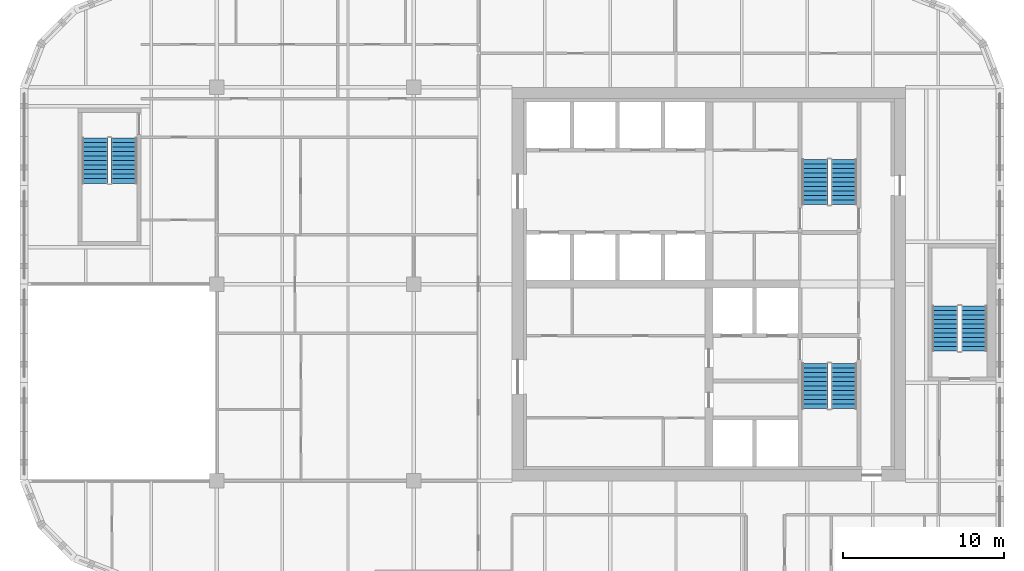
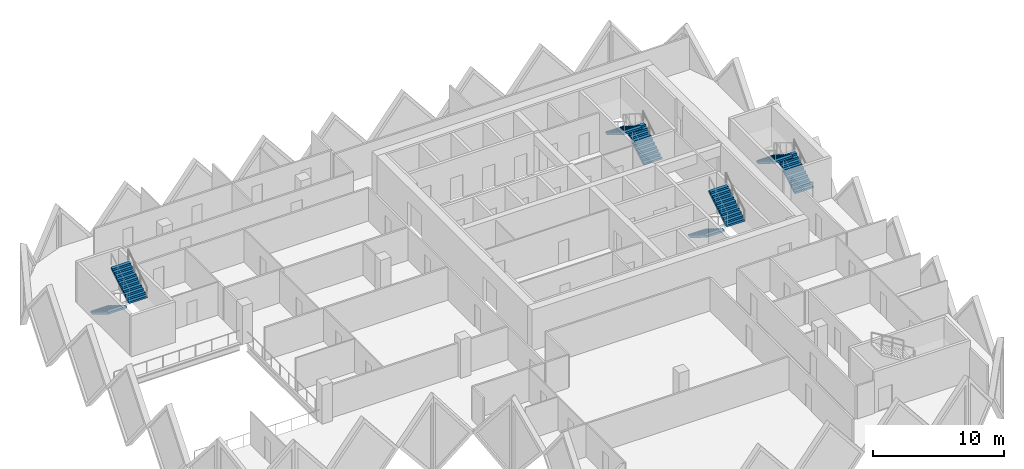
# One storey, part 11 of 12: 8 stair flights, 4 elements without a shape of their own.
"""IFC4 building model written with IfcOpenShell, lengths in metres."""

from ifc_helpers import new_model, si_unit, direction, frame, origin, place, context, subcontext, project, spatial, polyline, outline, extrude, material, type_object, element, aggregate, save


model = new_model("IFC4")

# Units and contexts
model_context = context("Model", 3, precision=1e-05, world=origin(), true_north=direction((0.0, 1.0)))
body_context = subcontext(model_context, "Body", "Model", "MODEL_VIEW")
ifc_project = project(units=[si_unit("LENGTHUNIT", "METRE"), si_unit("AREAUNIT", "SQUARE_METRE"), si_unit("VOLUMEUNIT", "CUBIC_METRE"), si_unit("PLANEANGLEUNIT", "RADIAN"), si_unit("MASSUNIT", "GRAM", prefix="KILO")], contexts=[model_context])

# Site, building, storey
site_placement = place(None, origin())
site = spatial("IfcSite", under=ifc_project, at=site_placement, CompositionType="ELEMENT")
building_placement = place(site_placement, origin())
building = spatial("IfcBuilding", under=site, at=building_placement, Name="Tessera Gate Towers", CompositionType="ELEMENT")
storey_placement = place(building_placement, frame((0.0, 0.0, 135.39990234375)))
storey = spatial("IfcBuildingStorey", under=building, at=storey_placement, Name="L33", CompositionType="ELEMENT", Elevation=135.39990234375)

# Stair, stair flights
ifc_material_1 = material(Name="Concrete C40/50", Category="concrete")
stair_type_1 = type_object("IfcStairType", Name="EXIT STAIR ST1 1600", PredefinedType="HALF_TURN_STAIR", material=ifc_material_1)
stair_1_placement = place(storey_placement, origin())
stair_1 = element("IfcStair", 1, at=stair_1_placement, inside=storey, type_object=stair_type_1, Name="L33 Protected Exit Stair ST1", PredefinedType="HALF_TURN_STAIR")
ifc_material_2 = material(Name="Concrete C40/50", Category="concrete")
stair_flight_type_1 = type_object("IfcStairFlightType", Name="EXIT STAIR FLIGHT ST1 1600", PredefinedType="STRAIGHT", material=ifc_material_2)
stair_flight_1_placement = place(storey_placement, frame((49.27490234375, 31.675048828125, 0.0), z_axis=(0.0, 0.0, 1.0), x_axis=(0.0, -1.0, 0.0)))
stair_flight_1 = element("IfcStairFlight", 2, at=stair_flight_1_placement, type_object=stair_flight_type_1, Name="ST1 flight 1", NumberOfRisers=11, NumberOfTreads=10, PredefinedType="STRAIGHT", RiserHeight=0.172727273, TreadLength=0.28, context=body_context, shape_type="SweptSolid", body=[
    extrude(outline(polyline([(0.0, 0.0), (0.0, 0.172607421875), (0.280029296875, 0.172607421875), (0.280029296875, 0.345458984375), (0.56005859375, 0.345458984375), (0.56005859375, 0.51806640625), (0.840087890625, 0.51806640625), (0.840087890625, 0.69091796875), (1.1201171875, 0.69091796875), (1.1201171875, 0.863525390625), (1.39990234375, 0.863525390625), (1.39990234375, 1.036376953125), (1.679931640625, 1.036376953125), (1.679931640625, 1.208984375), (1.9599609375, 1.208984375), (1.9599609375, 1.3818359375), (2.239990234375, 1.3818359375), (2.239990234375, 1.554443359375), (2.52001953125, 1.554443359375), (2.52001953125, 1.727294921875), (2.800048828125, 1.727294921875), (2.800048828125, 1.89990234375), (2.800048828125, 1.551025390625), (0.285400390625, 0.0), (0.0, 0.0)])), frame((0.0, 0.800048828125, 0.0), z_axis=(0.0, -1.0, 0.0), x_axis=(1.0, 0.0, 0.0)), (0.0, 0.0, 1.0), 1.60009765625),
])
stair_flight_2_placement = place(storey_placement, frame((51.074951171875, 28.875, 1.900146484375), z_axis=(0.0, 0.0, 1.0), x_axis=(0.0, 1.0, 0.0)))
stair_flight_2 = element("IfcStairFlight", 3, at=stair_flight_2_placement, type_object=stair_flight_type_1, Name="ST1 flight 2", NumberOfRisers=11, NumberOfTreads=10, PredefinedType="STRAIGHT", RiserHeight=0.172727273, TreadLength=0.28, context=body_context, shape_type="SweptSolid", body=[
    extrude(outline(polyline([(0.0, 0.0), (0.0, 0.172607421875), (0.280029296875, 0.172607421875), (0.280029296875, 0.345458984375), (0.56005859375, 0.345458984375), (0.56005859375, 0.51806640625), (0.840087890625, 0.51806640625), (0.840087890625, 0.69091796875), (1.1201171875, 0.69091796875), (1.1201171875, 0.863525390625), (1.39990234375, 0.863525390625), (1.39990234375, 1.036376953125), (1.679931640625, 1.036376953125), (1.679931640625, 1.208984375), (1.9599609375, 1.208984375), (1.9599609375, 1.3818359375), (2.239990234375, 1.3818359375), (2.239990234375, 1.554443359375), (2.52001953125, 1.554443359375), (2.52001953125, 1.727294921875), (2.800048828125, 1.727294921875), (2.800048828125, 1.89990234375), (2.800048828125, 1.551025390625), (0.285400390625, 0.0), (0.0, 0.0)])), frame((0.0, 0.800048828125, 0.0), z_axis=(0.0, -1.0, 0.0), x_axis=(1.0, 0.0, 0.0)), (0.0, 0.0, 1.0), 1.60009765625),
])
aggregate(stair_1, [stair_flight_1, stair_flight_2])

ifc_material_3 = material(Name="Concrete C40/50", Category="concrete")
stair_type_2 = type_object("IfcStairType", Name="EXIT STAIR ST2 1600", PredefinedType="HALF_TURN_STAIR", material=ifc_material_3)
stair_2_placement = place(storey_placement, origin())
stair_2 = element("IfcStair", 4, at=stair_2_placement, inside=storey, type_object=stair_type_2, Name="L33 Protected Exit Stair ST2", PredefinedType="HALF_TURN_STAIR")
ifc_material_4 = material(Name="Concrete C40/50", Category="concrete")
stair_flight_type_2 = type_object("IfcStairFlightType", Name="EXIT STAIR FLIGHT ST2 1600", PredefinedType="STRAIGHT", material=ifc_material_4)
stair_flight_3_placement = place(storey_placement, frame((51.074951171875, 41.52490234375, 0.0), z_axis=(0.0, 0.0, 1.0), x_axis=(0.0, 1.0, 0.0)))
stair_flight_3 = element("IfcStairFlight", 5, at=stair_flight_3_placement, type_object=stair_flight_type_2, Name="ST2 flight 1", NumberOfRisers=11, NumberOfTreads=10, PredefinedType="STRAIGHT", RiserHeight=0.172727273, TreadLength=0.28, context=body_context, shape_type="SweptSolid", body=[
    extrude(outline(polyline([(0.0, 0.0), (0.0, 0.172607421875), (0.280029296875, 0.172607421875), (0.280029296875, 0.345458984375), (0.56005859375, 0.345458984375), (0.56005859375, 0.51806640625), (0.840087890625, 0.51806640625), (0.840087890625, 0.69091796875), (1.1201171875, 0.69091796875), (1.1201171875, 0.863525390625), (1.39990234375, 0.863525390625), (1.39990234375, 1.036376953125), (1.679931640625, 1.036376953125), (1.679931640625, 1.208984375), (1.9599609375, 1.208984375), (1.9599609375, 1.3818359375), (2.239990234375, 1.3818359375), (2.239990234375, 1.554443359375), (2.52001953125, 1.554443359375), (2.52001953125, 1.727294921875), (2.800048828125, 1.727294921875), (2.800048828125, 1.89990234375), (2.800048828125, 1.551025390625), (0.285400390625, 0.0), (0.0, 0.0)])), frame((0.0, 0.800048828125, 0.0), z_axis=(0.0, -1.0, 0.0), x_axis=(1.0, 0.0, 0.0)), (0.0, 0.0, 1.0), 1.60009765625),
])
stair_flight_4_placement = place(storey_placement, frame((49.27490234375, 44.324951171875, 1.900146484375), z_axis=(0.0, 0.0, 1.0), x_axis=(0.0, -1.0, 0.0)))
stair_flight_4 = element("IfcStairFlight", 6, at=stair_flight_4_placement, type_object=stair_flight_type_2, Name="ST2 flight 2", NumberOfRisers=11, NumberOfTreads=10, PredefinedType="STRAIGHT", RiserHeight=0.172727273, TreadLength=0.28, context=body_context, shape_type="SweptSolid", body=[
    extrude(outline(polyline([(0.0, 0.0), (0.0, 0.172607421875), (0.280029296875, 0.172607421875), (0.280029296875, 0.345458984375), (0.56005859375, 0.345458984375), (0.56005859375, 0.51806640625), (0.840087890625, 0.51806640625), (0.840087890625, 0.69091796875), (1.1201171875, 0.69091796875), (1.1201171875, 0.863525390625), (1.39990234375, 0.863525390625), (1.39990234375, 1.036376953125), (1.679931640625, 1.036376953125), (1.679931640625, 1.208984375), (1.9599609375, 1.208984375), (1.9599609375, 1.3818359375), (2.239990234375, 1.3818359375), (2.239990234375, 1.554443359375), (2.52001953125, 1.554443359375), (2.52001953125, 1.727294921875), (2.800048828125, 1.727294921875), (2.800048828125, 1.89990234375), (2.800048828125, 1.551025390625), (0.285400390625, 0.0), (0.0, 0.0)])), frame((0.0, 0.800048828125, 0.0), z_axis=(0.0, -1.0, 0.0), x_axis=(1.0, 0.0, 0.0)), (0.0, 0.0, 1.0), 1.60009765625),
])
aggregate(stair_2, [stair_flight_3, stair_flight_4])

ifc_material_5 = material(Name="Concrete C40/50", Category="concrete")
stair_type_3 = type_object("IfcStairType", Name="EXIT STAIR ST3 1600", PredefinedType="HALF_TURN_STAIR", material=ifc_material_5)
stair_3_placement = place(storey_placement, origin())
stair_3 = element("IfcStair", 7, at=stair_3_placement, inside=storey, type_object=stair_type_3, Name="L33 West Exit Stair ST3", PredefinedType="HALF_TURN_STAIR")
ifc_material_6 = material(Name="Concrete C40/50", Category="concrete")
stair_flight_type_3 = type_object("IfcStairFlightType", Name="EXIT STAIR FLIGHT ST3 1600", PredefinedType="STRAIGHT", material=ifc_material_6)
stair_flight_5_placement = place(storey_placement, frame((4.64990234375, 45.64990234375, 0.0), z_axis=(0.0, 0.0, 1.0), x_axis=(0.0, -1.0, 0.0)))
stair_flight_5 = element("IfcStairFlight", 8, at=stair_flight_5_placement, type_object=stair_flight_type_3, Name="ST3 flight 1", NumberOfRisers=11, NumberOfTreads=10, PredefinedType="STRAIGHT", RiserHeight=0.172727273, TreadLength=0.28, context=body_context, shape_type="SweptSolid", body=[
    extrude(outline(polyline([(0.0, 0.0), (0.0, 0.172607421875), (0.280029296875, 0.172607421875), (0.280029296875, 0.345458984375), (0.56005859375, 0.345458984375), (0.56005859375, 0.51806640625), (0.840087890625, 0.51806640625), (0.840087890625, 0.69091796875), (1.1201171875, 0.69091796875), (1.1201171875, 0.863525390625), (1.39990234375, 0.863525390625), (1.39990234375, 1.036376953125), (1.679931640625, 1.036376953125), (1.679931640625, 1.208984375), (1.9599609375, 1.208984375), (1.9599609375, 1.3818359375), (2.239990234375, 1.3818359375), (2.239990234375, 1.554443359375), (2.52001953125, 1.554443359375), (2.52001953125, 1.727294921875), (2.800048828125, 1.727294921875), (2.800048828125, 1.89990234375), (2.800048828125, 1.551025390625), (0.285400390625, 0.0), (0.0, 0.0)])), frame((0.0, 0.800048828125, 0.0), z_axis=(0.0, -1.0, 0.0), x_axis=(1.0, 0.0, 0.0)), (0.0, 0.0, 1.0), 1.60009765625),
])
stair_flight_6_placement = place(storey_placement, frame((6.449951171875, 42.85009765625, 1.900146484375), z_axis=(0.0, 0.0, 1.0), x_axis=(0.0, 1.0, 0.0)))
stair_flight_6 = element("IfcStairFlight", 9, at=stair_flight_6_placement, type_object=stair_flight_type_3, Name="ST3 flight 2", NumberOfRisers=11, NumberOfTreads=10, PredefinedType="STRAIGHT", RiserHeight=0.172727273, TreadLength=0.28, context=body_context, shape_type="SweptSolid", body=[
    extrude(outline(polyline([(0.0, 0.0), (0.0, 0.172607421875), (0.280029296875, 0.172607421875), (0.280029296875, 0.345458984375), (0.56005859375, 0.345458984375), (0.56005859375, 0.51806640625), (0.840087890625, 0.51806640625), (0.840087890625, 0.69091796875), (1.1201171875, 0.69091796875), (1.1201171875, 0.863525390625), (1.39990234375, 0.863525390625), (1.39990234375, 1.036376953125), (1.679931640625, 1.036376953125), (1.679931640625, 1.208984375), (1.9599609375, 1.208984375), (1.9599609375, 1.3818359375), (2.239990234375, 1.3818359375), (2.239990234375, 1.554443359375), (2.52001953125, 1.554443359375), (2.52001953125, 1.727294921875), (2.800048828125, 1.727294921875), (2.800048828125, 1.89990234375), (2.800048828125, 1.551025390625), (0.285400390625, 0.0), (0.0, 0.0)])), frame((0.0, 0.800048828125, 0.0), z_axis=(0.0, -1.0, 0.0), x_axis=(1.0, 0.0, 0.0)), (0.0, 0.0, 1.0), 1.60009765625),
])
aggregate(stair_3, [stair_flight_5, stair_flight_6])

ifc_material_7 = material(Name="Concrete C40/50", Category="concrete")
stair_type_4 = type_object("IfcStairType", Name="EXIT STAIR ST5 1600", PredefinedType="HALF_TURN_STAIR", material=ifc_material_7)
stair_4_placement = place(storey_placement, origin())
stair_4 = element("IfcStair", 10, at=stair_4_placement, inside=storey, type_object=stair_type_4, Name="L33 East Exit Stair ST5", PredefinedType="HALF_TURN_STAIR")
ifc_material_8 = material(Name="Concrete C40/50", Category="concrete")
stair_flight_type_4 = type_object("IfcStairFlightType", Name="EXIT STAIR FLIGHT ST5 1600", PredefinedType="STRAIGHT", material=ifc_material_8)
stair_flight_7_placement = place(storey_placement, frame((59.14990234375, 32.449951171875, 0.0), z_axis=(0.0, 0.0, 1.0), x_axis=(0.0, 1.0, 0.0)))
stair_flight_7 = element("IfcStairFlight", 11, at=stair_flight_7_placement, type_object=stair_flight_type_4, Name="ST5 flight 1", NumberOfRisers=11, NumberOfTreads=10, PredefinedType="STRAIGHT", RiserHeight=0.172727273, TreadLength=0.28, context=body_context, shape_type="SweptSolid", body=[
    extrude(outline(polyline([(0.0, 0.0), (0.0, 0.172607421875), (0.280029296875, 0.172607421875), (0.280029296875, 0.345458984375), (0.56005859375, 0.345458984375), (0.56005859375, 0.51806640625), (0.840087890625, 0.51806640625), (0.840087890625, 0.69091796875), (1.1201171875, 0.69091796875), (1.1201171875, 0.863525390625), (1.39990234375, 0.863525390625), (1.39990234375, 1.036376953125), (1.679931640625, 1.036376953125), (1.679931640625, 1.208984375), (1.9599609375, 1.208984375), (1.9599609375, 1.3818359375), (2.239990234375, 1.3818359375), (2.239990234375, 1.554443359375), (2.52001953125, 1.554443359375), (2.52001953125, 1.727294921875), (2.800048828125, 1.727294921875), (2.800048828125, 1.89990234375), (2.800048828125, 1.551025390625), (0.285400390625, 0.0), (0.0, 0.0)])), frame((0.0, 0.800048828125, 0.0), z_axis=(0.0, -1.0, 0.0), x_axis=(1.0, 0.0, 0.0)), (0.0, 0.0, 1.0), 1.60009765625),
])
stair_flight_8_placement = place(storey_placement, frame((57.35009765625, 35.25, 1.900146484375), z_axis=(0.0, 0.0, 1.0), x_axis=(0.0, -1.0, 0.0)))
stair_flight_8 = element("IfcStairFlight", 12, at=stair_flight_8_placement, type_object=stair_flight_type_4, Name="ST5 flight 2", NumberOfRisers=11, NumberOfTreads=10, PredefinedType="STRAIGHT", RiserHeight=0.172727273, TreadLength=0.28, context=body_context, shape_type="SweptSolid", body=[
    extrude(outline(polyline([(0.0, 0.0), (0.0, 0.172607421875), (0.280029296875, 0.172607421875), (0.280029296875, 0.345458984375), (0.56005859375, 0.345458984375), (0.56005859375, 0.51806640625), (0.840087890625, 0.51806640625), (0.840087890625, 0.69091796875), (1.1201171875, 0.69091796875), (1.1201171875, 0.863525390625), (1.39990234375, 0.863525390625), (1.39990234375, 1.036376953125), (1.679931640625, 1.036376953125), (1.679931640625, 1.208984375), (1.9599609375, 1.208984375), (1.9599609375, 1.3818359375), (2.239990234375, 1.3818359375), (2.239990234375, 1.554443359375), (2.52001953125, 1.554443359375), (2.52001953125, 1.727294921875), (2.800048828125, 1.727294921875), (2.800048828125, 1.89990234375), (2.800048828125, 1.551025390625), (0.285400390625, 0.0), (0.0, 0.0)])), frame((0.0, 0.800048828125, 0.0), z_axis=(0.0, -1.0, 0.0), x_axis=(1.0, 0.0, 0.0)), (0.0, 0.0, 1.0), 1.60009765625),
])
aggregate(stair_4, [stair_flight_7, stair_flight_8])

save(model, "model.ifc")
